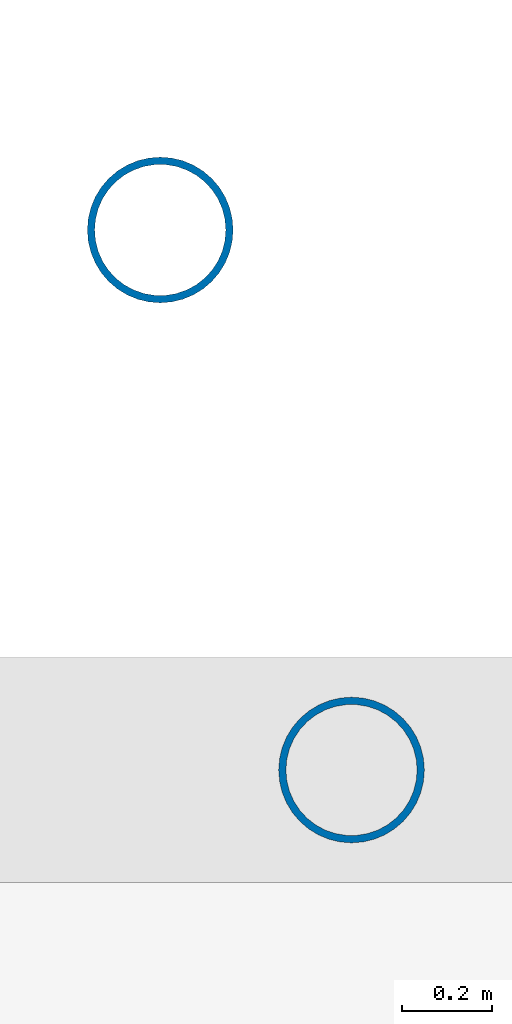
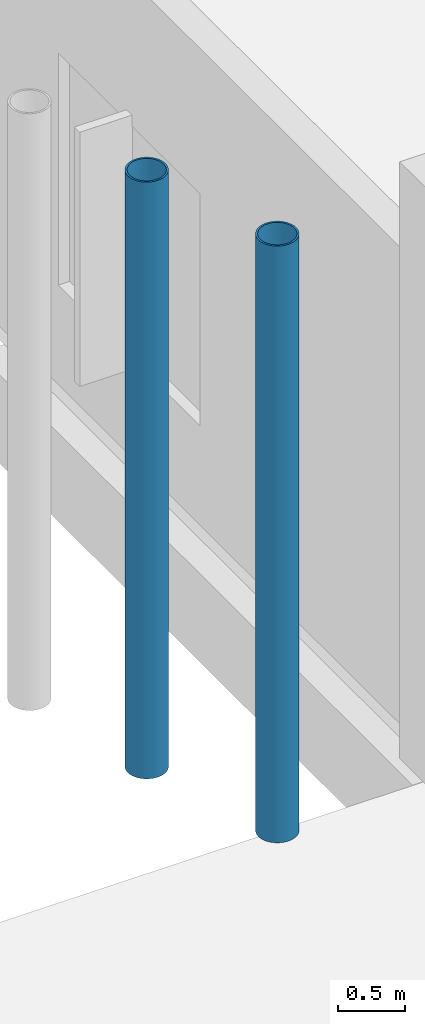
# One storey, part 2 of 46: 2 columns.
"""IFC4 building model written with IfcOpenShell, lengths in metres."""

from ifc_helpers import new_model, si_unit, direction, frame, origin, origin_2d, place, context, subcontext, project, spatial, hollow_circle, extrude, material, material_profile, profile_set, type_object, element, save


model = new_model("IFC4")

# Units and contexts
model_context = context("Model", 3, precision=1e-05, world=origin(), true_north=direction((0.0, 1.0)))
body_context = subcontext(model_context, "Body", "Model", "MODEL_VIEW")
ifc_project = project(units=[si_unit("LENGTHUNIT", "METRE"), si_unit("AREAUNIT", "SQUARE_METRE"), si_unit("VOLUMEUNIT", "CUBIC_METRE"), si_unit("PLANEANGLEUNIT", "RADIAN"), si_unit("MASSUNIT", "GRAM", prefix="KILO"), si_unit("THERMODYNAMICTEMPERATUREUNIT", "KELVIN"), si_unit("POWERUNIT", "WATT")], contexts=[model_context])

# Site, building, storey
site_placement = place(None, origin())
site = spatial("IfcSite", under=ifc_project, at=site_placement, CompositionType="ELEMENT")
building_placement = place(site_placement, origin())
building = spatial("IfcBuilding", under=site, at=building_placement, Name="Kaldorven Railside Theatre", CompositionType="ELEMENT")
storey_placement = place(building_placement, origin())
storey = spatial("IfcBuildingStorey", under=building, at=storey_placement, Name="L00", CompositionType="ELEMENT", Elevation=0.0)

# Columns
ifc_material = material(Name="Steel S355", Category="steel")
ifc_material_profile = material_profile(ifc_material, hollow_circle(Radius=0.161865234375, WallThickness=0.01611328125, at=origin_2d()), Name="CHS 323.9x16")
ifc_profile_set = profile_set([ifc_material_profile], Name="Steel S355")
column_type = type_object("IfcColumnType", Name="COL-CHS324", PredefinedType="COLUMN", material=ifc_profile_set)
for number, where, z_axis, x_axis, name in (
    (1, (70.77490234375, 42.0, 0.0), (0.0, 0.0, 1.0), (1.0, 0.0, 0.0), "L00 Courtyard Flute Mullion Column CFS-020"),
    (2, (71.199951171875, 40.800048828125, 0.0), (0.0, 0.0, 1.0), (1.0, 0.0, 0.0), "L00 Courtyard Flute Mullion Column CFS-032"),
):
    element("IfcColumn", number, at=place(storey_placement, frame(where, z_axis=z_axis, x_axis=x_axis)), inside=storey, type_object=column_type, Name=name, PredefinedType="COLUMN", context=body_context, shape_type="SweptSolid", body=[
        extrude(hollow_circle(Radius=0.161865234375, WallThickness=0.01611328125, at=origin_2d()), origin(), (0.0, 0.0, 1.0), 5.39990234375),
    ])

save(model, "model.ifc")
